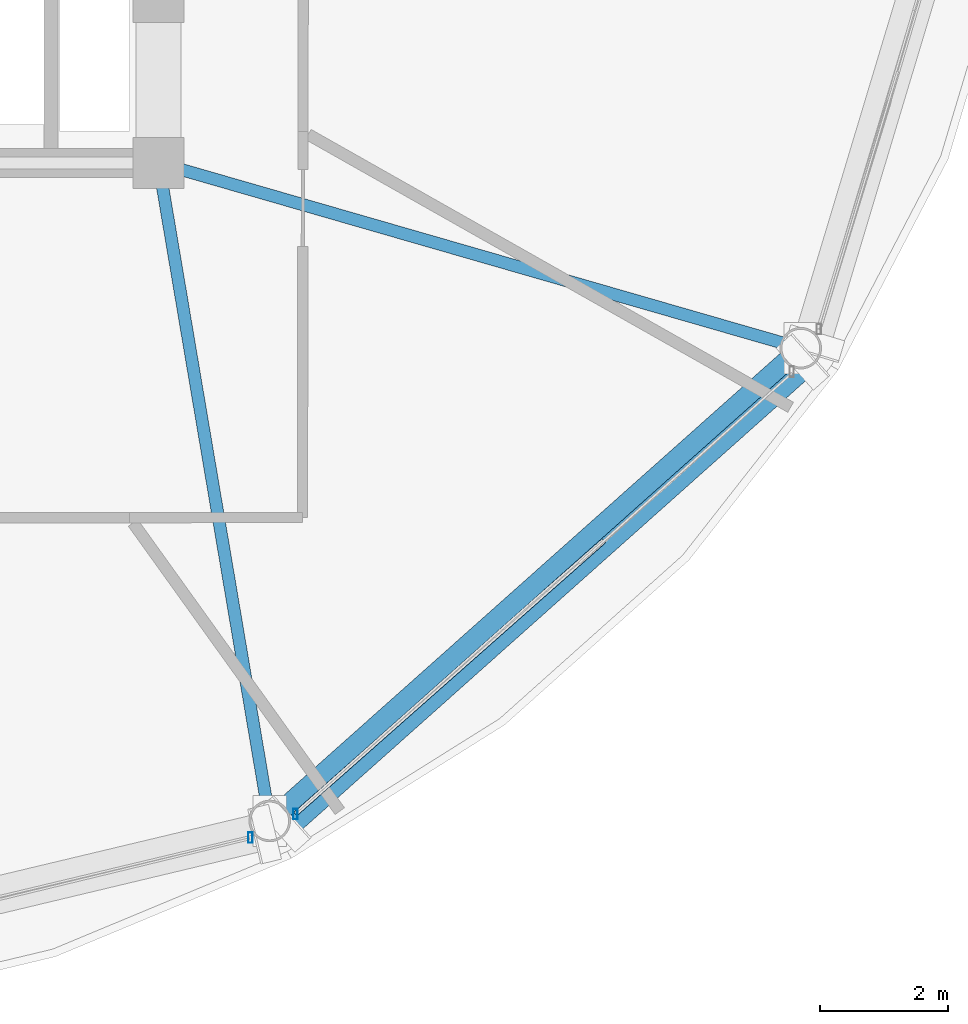
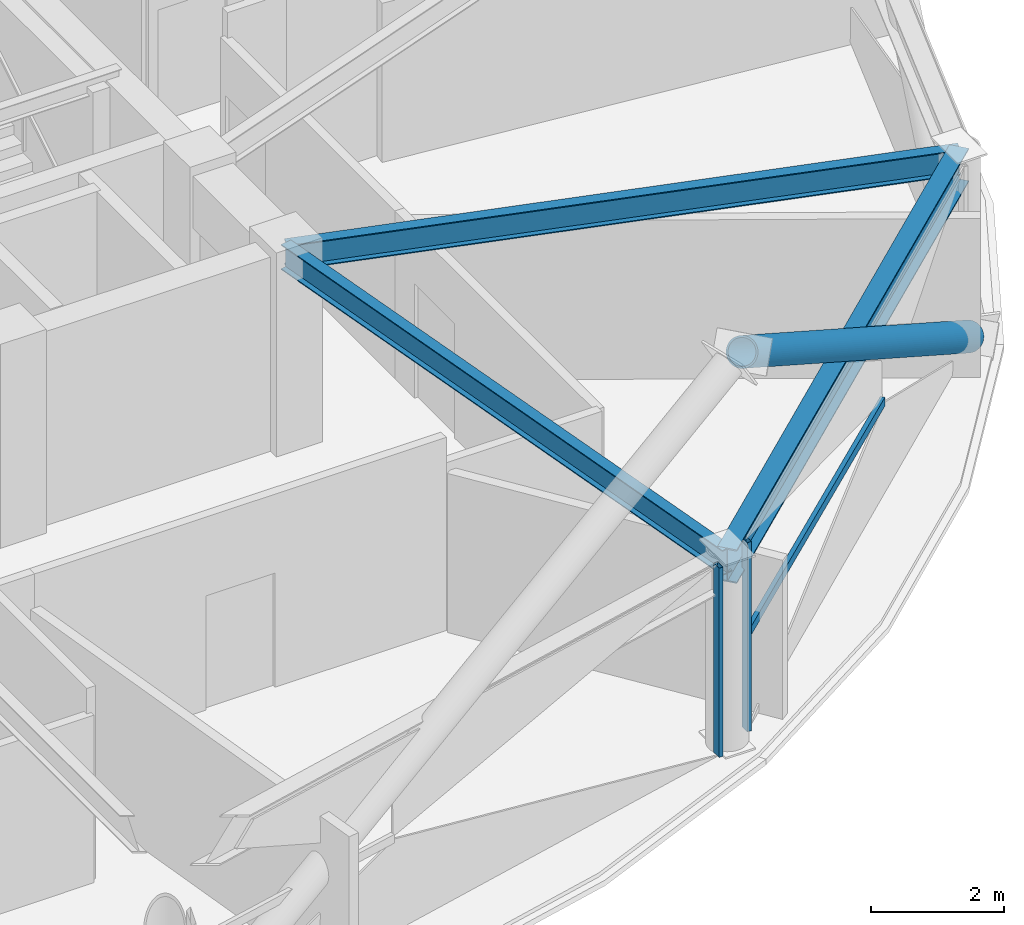
# One storey, part 11 of 30: 4 members, 3 beams, 2 elements without a shape of their own.
"""IFC4 building model written with IfcOpenShell, lengths in metres."""

from ifc_helpers import new_model, si_unit, direction, frame, origin, origin_2d, place, context, subcontext, project, spatial, hollow_rectangle, hollow_circle, i_section, extrude, material, layer, layer_set, material_profile, profile_set, type_object, element, aggregate, save


model = new_model("IFC4")

# Units and contexts
model_context = context("Model", 3, precision=1e-05, world=origin(), true_north=direction((0.0, 1.0)))
body_context = subcontext(model_context, "Body", "Model", "MODEL_VIEW")
ifc_project = project(units=[si_unit("LENGTHUNIT", "METRE"), si_unit("AREAUNIT", "SQUARE_METRE"), si_unit("VOLUMEUNIT", "CUBIC_METRE"), si_unit("PLANEANGLEUNIT", "RADIAN"), si_unit("MASSUNIT", "GRAM", prefix="KILO")], contexts=[model_context])

# Site, building, storey
site_placement = place(None, origin())
site = spatial("IfcSite", under=ifc_project, at=site_placement, CompositionType="ELEMENT")
building_placement = place(site_placement, origin())
building = spatial("IfcBuilding", under=site, at=building_placement, Name="Vantalir Tower", CompositionType="ELEMENT")
storey_placement = place(building_placement, frame((0.0, 0.0, 189.89990234375)))
storey = spatial("IfcBuildingStorey", under=building, at=storey_placement, Name="L47", CompositionType="ELEMENT", Elevation=189.89990234375)

# Beams
ifc_material_1 = material(Name="Steel S355", Category="steel")
ifc_material_profile_1 = material_profile(ifc_material_1, i_section(OverallWidth=0.19189453125, OverallDepth=0.462890625, WebThickness=0.010498046875, FlangeThickness=0.017578125, at=origin_2d()), Name="Steel S355")
ifc_profile_set_1 = profile_set([ifc_material_profile_1], Name="Steel S355")
beam_type_1 = type_object("IfcBeamType", Name="BM-RB-457x191", PredefinedType="BEAM", material=ifc_profile_set_1)
beam_1_placement = place(storey_placement, frame((42.837890625, 7.51708984375, 3.338134765625), z_axis=(-0.166634565595, 0.986018722717, 0.0), x_axis=(-0.986018722717, -0.166634565595, 0.0)))
element("IfcBeam", 1, at=beam_1_placement, inside=storey, type_object=beam_type_1, Name="L47 Radial Floor Beam 11", PredefinedType="BEAM", context=body_context, shape_type="SweptSolid", body=[
    extrude(i_section(OverallWidth=0.19189453125, OverallDepth=0.462890625, WebThickness=0.010498046875, FlangeThickness=0.017578125, at=origin_2d()), origin(), (0.0, 0.0, 1.0), 10.4287109375),
])
beam_2_placement = place(storey_placement, frame((51.137939453125, 14.906005859375, 3.338134765625), z_axis=(-0.960861521684, 0.277029125089, 0.0), x_axis=(-0.277029125089, -0.960861521684, 0.0)))
element("IfcBeam", 2, at=beam_2_placement, inside=storey, type_object=beam_type_1, Name="L47 Radial Floor Beam 12", PredefinedType="BEAM", context=body_context, shape_type="SweptSolid", body=[
    extrude(i_section(OverallWidth=0.19189453125, OverallDepth=0.462890625, WebThickness=0.010498046875, FlangeThickness=0.017578125, at=origin_2d()), origin(), (0.0, 0.0, 1.0), 10.44677734375),
])
ifc_material_2 = material(Name="Steel S460", Category="steel")
ifc_material_profile_2 = material_profile(ifc_material_2, i_section(OverallWidth=0.306884765625, OverallDepth=0.6201171875, WebThickness=0.01416015625, FlangeThickness=0.023681640625, at=origin_2d()), Name="Steel S460")
ifc_profile_set_2 = profile_set([ifc_material_profile_2], Name="Steel S460")
beam_type_2 = type_object("IfcBeamType", Name="BM-RG-610x305", PredefinedType="USERDEFINED", material=ifc_profile_set_2)
beam_3_placement = place(storey_placement, frame((42.837890625, 7.51708984375, 3.260009765625), z_axis=(0.746913346666, 0.664921388265, 0.0), x_axis=(-0.664921388265, 0.746913346666, 0.0)))
element("IfcBeam", 3, at=beam_3_placement, inside=storey, type_object=beam_type_2, Name="L47 Circumferential Ring Girder 11", ObjectType="GIRDER", PredefinedType="USERDEFINED", context=body_context, shape_type="SweptSolid", body=[
    extrude(i_section(OverallWidth=0.306884765625, OverallDepth=0.6201171875, WebThickness=0.01416015625, FlangeThickness=0.023681640625, at=origin_2d()), origin(), (0.0, 0.0, 1.0), 11.112548828125),
])

# Curtain wall, member
ifc_material_3 = material(Name="Champagne-silver PVDF aluminium and double-silver Low-E glass", Category="aluminium")
ifc_layer = layer(ifc_material_3, 0.2099609375)
ifc_layer_set = layer_set([ifc_layer], Name="Champagne-silver PVDF aluminium and double-silver Low-E glass")
curtain_wall_type = type_object("IfcCurtainWallType", Name="CW-DIAMOND-Z3", PredefinedType="USERDEFINED", material=ifc_layer_set)
curtain_wall_1_placement = place(storey_placement, origin())
curtain_wall_1 = element("IfcCurtainWall", 4, at=curtain_wall_1_placement, inside=storey, type_object=curtain_wall_type, Name="L47 Quilted Pyramid-Diamond Curtain Wall S10", ObjectType="UNITISED CURTAIN WALL", PredefinedType="USERDEFINED")
ifc_material_4 = material(Name="Champagne-silver PVDF aluminium 6063-T6", Category="aluminium")
ifc_material_profile_3 = material_profile(ifc_material_4, hollow_rectangle(XDim=0.070068359375, YDim=0.1650390625, WallThickness=0.00390625, at=origin_2d()), Name="Champagne-silver PVDF aluminium 6063-T6")
ifc_profile_set_3 = profile_set([ifc_material_profile_3], Name="Champagne-silver PVDF aluminium 6063-T6")
member_type_1 = type_object("IfcMemberType", Name="CWM-165x70", PredefinedType="MULLION", material=ifc_profile_set_3)
member_1_placement = place(storey_placement, frame((42.533935546875, 7.257080078125, 0.045166015625), z_axis=(0.0, 0.0, 1.0), x_axis=(1.0, 0.0, 0.0)))
member_1 = element("IfcMember", 5, at=member_1_placement, type_object=member_type_1, Name="CW-L47-S10 Mullion 2", PredefinedType="MULLION", context=body_context, shape_type="SweptSolid", body=[
    extrude(hollow_rectangle(XDim=0.070068359375, YDim=0.1650390625, WallThickness=0.00390625, at=origin_2d()), origin(), (0.0, 0.0, 1.0), 3.47998046875),
])
aggregate(curtain_wall_1, [member_1])

# Curtain wall, members
curtain_wall_2_placement = place(storey_placement, origin())
curtain_wall_2 = element("IfcCurtainWall", 6, at=curtain_wall_2_placement, inside=storey, type_object=curtain_wall_type, Name="L47 Quilted Pyramid-Diamond Curtain Wall S11", ObjectType="UNITISED CURTAIN WALL", PredefinedType="USERDEFINED")
member_2_placement = place(storey_placement, frame((43.239013671875, 7.625, 0.045166015625), z_axis=(0.0, 0.0, 1.0), x_axis=(1.0, 0.0, 0.0)))
member_2 = element("IfcMember", 7, at=member_2_placement, type_object=member_type_1, Name="CW-L47-S11 Mullion 1", PredefinedType="MULLION", context=body_context, shape_type="SweptSolid", body=[
    extrude(hollow_rectangle(XDim=0.070068359375, YDim=0.1650390625, WallThickness=0.00390625, at=origin_2d()), origin(), (0.0, 0.0, 1.0), 3.47998046875),
])
ifc_material_profile_4 = material_profile(ifc_material_4, hollow_rectangle(XDim=0.074951171875, YDim=0.159912109375, WallThickness=0.00390625, at=origin_2d()), Name="Champagne-silver PVDF aluminium 6063-T6")
ifc_profile_set_4 = profile_set([ifc_material_profile_4], Name="Champagne-silver PVDF aluminium 6063-T6")
member_type_2 = type_object("IfcMemberType", Name="CWT-160x75", PredefinedType="USERDEFINED", material=ifc_profile_set_4)
member_3_placement = place(storey_placement, frame((43.239013671875, 7.625, 1.78515625), z_axis=(0.749065949805, 0.662495436092, 0.0), x_axis=(-0.662495436092, 0.749065949805, 0.0)))
member_3 = element("IfcMember", 8, at=member_3_placement, type_object=member_type_2, Name="CW-L47-S11 Pyramid Fold Ridge Transom", ObjectType="TRANSOM", PredefinedType="USERDEFINED", context=body_context, shape_type="SweptSolid", body=[
    extrude(hollow_rectangle(XDim=0.074951171875, YDim=0.159912109375, WallThickness=0.00390625, at=origin_2d()), origin(), (0.0, 0.0, 1.0), 6.44677734375),
])
aggregate(curtain_wall_2, [member_2, member_3])

# Member
ifc_material_profile_5 = material_profile(ifc_material_2, hollow_circle(Radius=0.25, WallThickness=0.031982421875, at=origin_2d()), Name="Steel S460")
ifc_profile_set_5 = profile_set([ifc_material_profile_5], Name="Steel S460")
member_type_3 = type_object("IfcMemberType", Name="MEM-DB-500x32", PredefinedType="BRACE", material=ifc_profile_set_5)
member_4_placement = place(storey_placement, frame((51.1650390625, 14.68798828125, 0.197998046875), z_axis=(-0.629199562218, -0.560705573136, 0.53825381667), x_axis=(0.665302591235, -0.746573815571, 0.0)))
element("IfcMember", 9, at=member_4_placement, inside=storey, type_object=member_type_3, Name="L47 Perimeter S460 Diagrid Brace R34R", PredefinedType="BRACE", context=body_context, shape_type="SweptSolid", body=[
    extrude(hollow_circle(Radius=0.25, WallThickness=0.031982421875, at=origin_2d()), origin(), (0.0, 0.0, 1.0), 12.864013671875),
])

save(model, "model.ifc")
